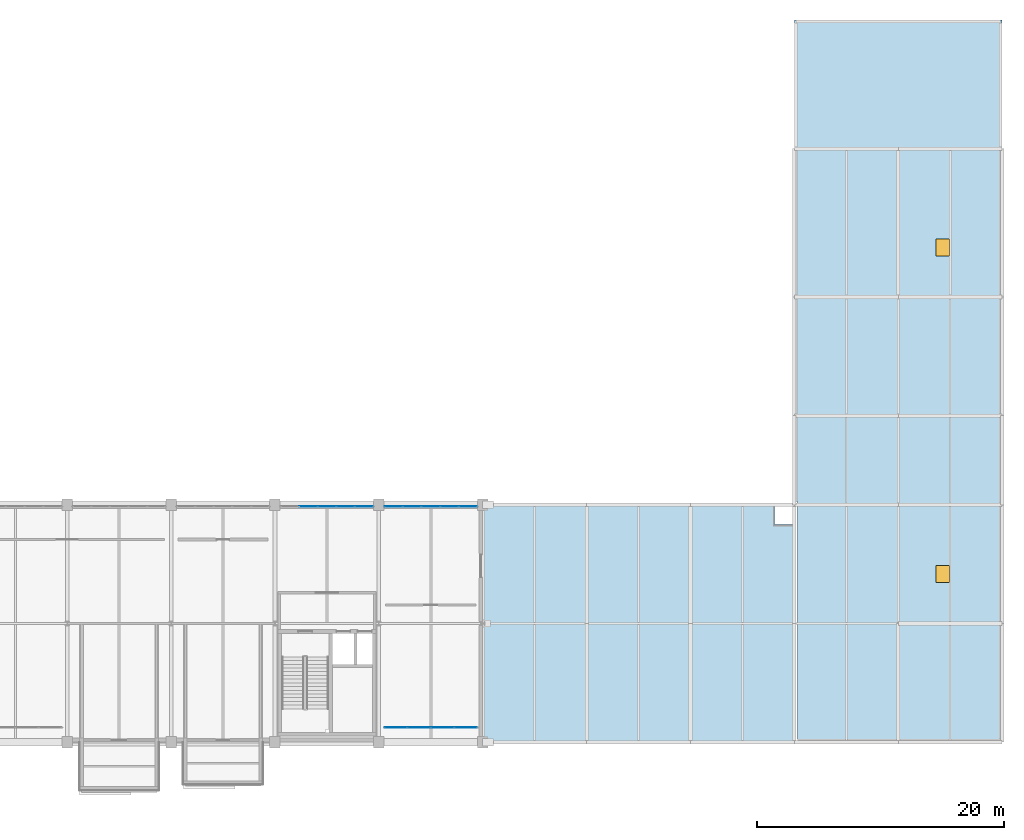
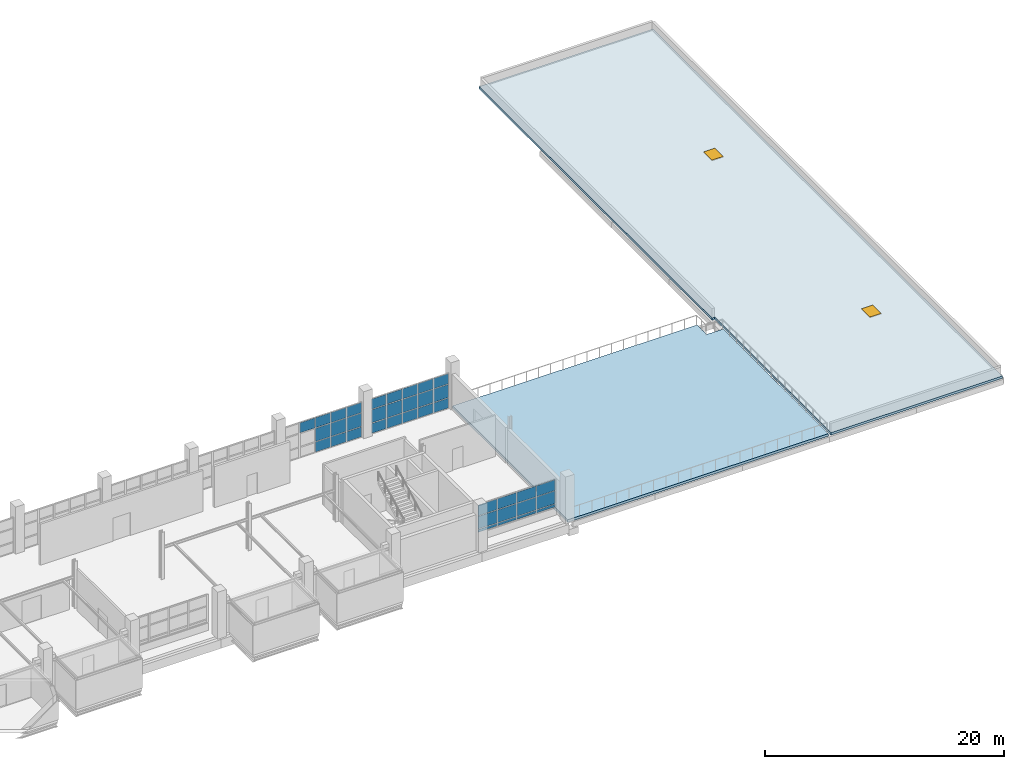
# One storey, part 23 of 29: 37 plates, 2 doors, 2 slabs, 2 openings, 3 elements without a shape of their own.
"""IFC4 building model written with IfcOpenShell, lengths in metres."""

from ifc_helpers import new_model, si_unit, direction, frame, origin, origin_2d, place, context, subcontext, project, spatial, polyline, rectangle, outline, extrude, material, layer, layer_set, type_object, element, fill, aggregate, save


model = new_model("IFC4")

# Units and contexts
model_context = context("Model", 3, precision=1e-05, world=origin(), true_north=direction((0.0, 1.0)))
body_context = subcontext(model_context, "Body", "Model", "MODEL_VIEW")
ifc_project = project(units=[si_unit("LENGTHUNIT", "METRE"), si_unit("AREAUNIT", "SQUARE_METRE"), si_unit("VOLUMEUNIT", "CUBIC_METRE"), si_unit("PLANEANGLEUNIT", "RADIAN"), si_unit("MASSUNIT", "GRAM", prefix="KILO")], contexts=[model_context])

# Site, building, storey
site_placement = place(None, origin())
site = spatial("IfcSite", under=ifc_project, at=site_placement, CompositionType="ELEMENT")
building_placement = place(site_placement, origin())
building = spatial("IfcBuilding", under=site, at=building_placement, Name="Veltarok Museum of Natural Sciences", CompositionType="ELEMENT")
storey_placement = place(building_placement, frame((0.0, 0.0, 26.39990234375)))
storey = spatial("IfcBuildingStorey", under=building, at=storey_placement, Name="L05", CompositionType="ELEMENT", Elevation=26.39990234375)

# Slab, openings, doors
ifc_material_1 = material(Name="Concrete C35/45", Category="concrete")
ifc_layer_1 = layer(ifc_material_1, 0.239990234375)
ifc_layer_set_1 = layer_set([ifc_layer_1], Name="Concrete C35/45")
slab_type_1 = type_object("IfcSlabType", Name="Insulated Flat Wing Roof Slab 240", PredefinedType="ROOF", material=ifc_layer_set_1)
slab_1_placement = place(storey_placement, frame((0.0, 0.0, -0.239990234375)))
slab_1 = element("IfcSlab", 1, at=slab_1_placement, inside=storey, type_object=slab_type_1, Name="Flat Wing Roof Slab RF-V5A", PredefinedType="ROOF", context=body_context, shape_type="SweptSolid", body=[
    extrude(outline(polyline([(149.199951171875, 58.39990234375), (149.199951171875, 0.0), (132.64990234375, 0.0), (132.64990234375, 19.449951171875), (132.39990234375, 19.449951171875), (132.39990234375, 58.39990234375), (149.199951171875, 58.39990234375)])), origin(), (0.0, 0.0, 1.0), 0.239990234375),
])
opening_1_placement = place(slab_1_placement, frame((144.39990234375, 13.60009765625, -0.010009765625)))
opening_1 = element("IfcOpeningElement", 2, at=opening_1_placement, cuts=slab_1, Name="Opening HT-05", PredefinedType="OPENING", context=body_context, shape_type="SweptSolid", body=[
    extrude(rectangle(XDim=1.10009765625, YDim=1.39990234375, at=origin_2d()), origin(), (0.0, 0.0, 1.0), 0.320068359375),
])
opening_2_placement = place(slab_1_placement, frame((144.39990234375, 40.0, -0.010009765625)))
opening_2 = element("IfcOpeningElement", 3, at=opening_2_placement, cuts=slab_1, Name="Opening HT-06", PredefinedType="OPENING", context=body_context, shape_type="SweptSolid", body=[
    extrude(rectangle(XDim=1.10009765625, YDim=1.39990234375, at=origin_2d()), origin(), (0.0, 0.0, 1.0), 0.320068359375),
])
ifc_material_2 = material(Name="Insulated aluminium curb hatch", Category="aluminium")
door_type = type_object("IfcDoorType", Name="Insulated Roof Maintenance Access Hatch 1100x1400", OperationType="SINGLE_SWING_LEFT", PredefinedType="TRAPDOOR", material=ifc_material_2)
door_1_placement = place(slab_1_placement, frame((144.39990234375, 13.60009765625, 0.239990234375)))
door_1 = element("IfcDoor", 4, at=door_1_placement, inside=storey, type_object=door_type, Name="Roof Maintenance Access Hatch HT-05", OperationType="SINGLE_SWING_LEFT", OverallHeight=1.39990234375, OverallWidth=1.10009765625, PredefinedType="TRAPDOOR", context=body_context, shape_type="SweptSolid", body=[
    extrude(rectangle(XDim=1.10009765625, YDim=1.39990234375, at=origin_2d()), origin(), (0.0, 0.0, 1.0), 0.06005859375),
])
fill(opening_1, door_1)
door_2_placement = place(slab_1_placement, frame((144.39990234375, 40.0, 0.239990234375)))
door_2 = element("IfcDoor", 5, at=door_2_placement, inside=storey, type_object=door_type, Name="Roof Maintenance Access Hatch HT-06", OperationType="SINGLE_SWING_LEFT", OverallHeight=1.39990234375, OverallWidth=1.10009765625, PredefinedType="TRAPDOOR", context=body_context, shape_type="SweptSolid", body=[
    extrude(rectangle(XDim=1.10009765625, YDim=1.39990234375, at=origin_2d()), origin(), (0.0, 0.0, 1.0), 0.06005859375),
])
fill(opening_2, door_2)

# Slab
ifc_layer_2 = layer(ifc_material_1, 0.260009765625)
ifc_layer_set_2 = layer_set([ifc_layer_2], Name="Concrete C35/45")
slab_type_2 = type_object("IfcSlabType", Name="Insulated Walkable Terrace Deck Slab 260", PredefinedType="FLOOR", material=ifc_layer_set_2)
slab_2_placement = place(storey_placement, frame((0.0, 0.0, -0.260009765625)))
element("IfcSlab", 6, at=slab_2_placement, inside=storey, type_object=slab_type_2, Name="Upper Stepped Sculpture Terrace", PredefinedType="FLOOR", context=body_context, shape_type="SweptSolid", body=[
    extrude(outline(polyline([(107.22509765625, 0.0), (132.39990234375, 0.0), (132.39990234375, 17.60009765625), (130.800048828125, 17.60009765625), (130.800048828125, 19.199951171875), (107.22509765625, 19.199951171875), (107.22509765625, 0.0)])), origin(), (0.0, 0.0, 1.0), 0.260009765625),
])

# Curtain wall, plates
ifc_material_3 = material(Name="Low-iron triple insulated glass", Category="glass")
curtain_wall_type_1 = type_object("IfcCurtainWallType", Name="Curtain Wall System CW-CAB-L05-A-755x288 (V1 Recessed L05 755x288cm)", PredefinedType="NOTDEFINED", material=ifc_material_3)
curtain_wall_1_placement = place(storey_placement, origin())
curtain_wall_1 = element("IfcCurtainWall", 7, at=curtain_wall_1_placement, inside=storey, type_object=curtain_wall_type_1, Name="Curtain Wall CW-CAB-L05-A-755x288 CW-0010", PredefinedType="NOTDEFINED")
ifc_layer_3 = layer(ifc_material_3, 0.028076171875)
ifc_layer_set_3 = layer_set([ifc_layer_3], Name="Low-iron triple insulated glass")
plate_type = type_object("IfcPlateType", Name="Triple Low-Iron Glazed Vision Panel 28", PredefinedType="CURTAIN_PANEL", material=ifc_layer_set_3)
plate_1_placement = place(storey_placement, frame((100.183837890625, 1.199951171875, 0.800048828125), z_axis=(0.0, 0.0, 1.0), x_axis=(1.0, 0.0, 0.0)))
plate_1 = element("IfcPlate", 8, at=plate_1_placement, type_object=plate_type, Name="CW-CAB-L05-A-755x288 panel 1.1", PredefinedType="CURTAIN_PANEL", context=body_context, shape_type="SweptSolid", body=[
    extrude(rectangle(XDim=1.797607421875, YDim=0.028076171875, at=origin_2d()), origin(), (0.0, 0.0, 1.0), 0.27001953125),
])
plate_2_placement = place(storey_placement, frame((100.183837890625, 1.199951171875, 1.130126953125), z_axis=(0.0, 0.0, 1.0), x_axis=(1.0, 0.0, 0.0)))
plate_2 = element("IfcPlate", 9, at=plate_2_placement, type_object=plate_type, Name="CW-CAB-L05-A-755x288 panel 1.2", PredefinedType="CURTAIN_PANEL", context=body_context, shape_type="SweptSolid", body=[
    extrude(rectangle(XDim=1.797607421875, YDim=0.028076171875, at=origin_2d()), origin(), (0.0, 0.0, 1.0), 1.2900390625),
])
plate_3_placement = place(storey_placement, frame((100.183837890625, 1.199951171875, 2.480224609375), z_axis=(0.0, 0.0, 1.0), x_axis=(1.0, 0.0, 0.0)))
plate_3 = element("IfcPlate", 10, at=plate_3_placement, type_object=plate_type, Name="CW-CAB-L05-A-755x288 panel 1.3", PredefinedType="CURTAIN_PANEL", context=body_context, shape_type="SweptSolid", body=[
    extrude(rectangle(XDim=1.797607421875, YDim=0.028076171875, at=origin_2d()), origin(), (0.0, 0.0, 1.0), 1.0849609375),
])
plate_4_placement = place(storey_placement, frame((102.05615234375, 1.199951171875, 0.800048828125), z_axis=(0.0, 0.0, 1.0), x_axis=(1.0, 0.0, 0.0)))
plate_4 = element("IfcPlate", 11, at=plate_4_placement, type_object=plate_type, Name="CW-CAB-L05-A-755x288 panel 2.1", PredefinedType="CURTAIN_PANEL", context=body_context, shape_type="SweptSolid", body=[
    extrude(rectangle(XDim=1.827392578125, YDim=0.028076171875, at=origin_2d()), origin(), (0.0, 0.0, 1.0), 0.27001953125),
])
plate_5_placement = place(storey_placement, frame((102.05615234375, 1.199951171875, 1.130126953125), z_axis=(0.0, 0.0, 1.0), x_axis=(1.0, 0.0, 0.0)))
plate_5 = element("IfcPlate", 12, at=plate_5_placement, type_object=plate_type, Name="CW-CAB-L05-A-755x288 panel 2.2", PredefinedType="CURTAIN_PANEL", context=body_context, shape_type="SweptSolid", body=[
    extrude(rectangle(XDim=1.827392578125, YDim=0.028076171875, at=origin_2d()), origin(), (0.0, 0.0, 1.0), 1.2900390625),
])
plate_6_placement = place(storey_placement, frame((102.05615234375, 1.199951171875, 2.480224609375), z_axis=(0.0, 0.0, 1.0), x_axis=(1.0, 0.0, 0.0)))
plate_6 = element("IfcPlate", 13, at=plate_6_placement, type_object=plate_type, Name="CW-CAB-L05-A-755x288 panel 2.3", PredefinedType="CURTAIN_PANEL", context=body_context, shape_type="SweptSolid", body=[
    extrude(rectangle(XDim=1.827392578125, YDim=0.028076171875, at=origin_2d()), origin(), (0.0, 0.0, 1.0), 1.0849609375),
])
plate_7_placement = place(storey_placement, frame((103.94384765625, 1.199951171875, 0.800048828125), z_axis=(0.0, 0.0, 1.0), x_axis=(1.0, 0.0, 0.0)))
plate_7 = element("IfcPlate", 14, at=plate_7_placement, type_object=plate_type, Name="CW-CAB-L05-A-755x288 panel 3.1", PredefinedType="CURTAIN_PANEL", context=body_context, shape_type="SweptSolid", body=[
    extrude(rectangle(XDim=1.827392578125, YDim=0.028076171875, at=origin_2d()), origin(), (0.0, 0.0, 1.0), 0.27001953125),
])
plate_8_placement = place(storey_placement, frame((103.94384765625, 1.199951171875, 1.130126953125), z_axis=(0.0, 0.0, 1.0), x_axis=(1.0, 0.0, 0.0)))
plate_8 = element("IfcPlate", 15, at=plate_8_placement, type_object=plate_type, Name="CW-CAB-L05-A-755x288 panel 3.2", PredefinedType="CURTAIN_PANEL", context=body_context, shape_type="SweptSolid", body=[
    extrude(rectangle(XDim=1.827392578125, YDim=0.028076171875, at=origin_2d()), origin(), (0.0, 0.0, 1.0), 1.2900390625),
])
plate_9_placement = place(storey_placement, frame((103.94384765625, 1.199951171875, 2.480224609375), z_axis=(0.0, 0.0, 1.0), x_axis=(1.0, 0.0, 0.0)))
plate_9 = element("IfcPlate", 16, at=plate_9_placement, type_object=plate_type, Name="CW-CAB-L05-A-755x288 panel 3.3", PredefinedType="CURTAIN_PANEL", context=body_context, shape_type="SweptSolid", body=[
    extrude(rectangle(XDim=1.827392578125, YDim=0.028076171875, at=origin_2d()), origin(), (0.0, 0.0, 1.0), 1.0849609375),
])
plate_10_placement = place(storey_placement, frame((105.816162109375, 1.199951171875, 0.800048828125), z_axis=(0.0, 0.0, 1.0), x_axis=(1.0, 0.0, 0.0)))
plate_10 = element("IfcPlate", 17, at=plate_10_placement, type_object=plate_type, Name="CW-CAB-L05-A-755x288 panel 4.1", PredefinedType="CURTAIN_PANEL", context=body_context, shape_type="SweptSolid", body=[
    extrude(rectangle(XDim=1.797607421875, YDim=0.028076171875, at=origin_2d()), origin(), (0.0, 0.0, 1.0), 0.27001953125),
])
plate_11_placement = place(storey_placement, frame((105.816162109375, 1.199951171875, 1.130126953125), z_axis=(0.0, 0.0, 1.0), x_axis=(1.0, 0.0, 0.0)))
plate_11 = element("IfcPlate", 18, at=plate_11_placement, type_object=plate_type, Name="CW-CAB-L05-A-755x288 panel 4.2", PredefinedType="CURTAIN_PANEL", context=body_context, shape_type="SweptSolid", body=[
    extrude(rectangle(XDim=1.797607421875, YDim=0.028076171875, at=origin_2d()), origin(), (0.0, 0.0, 1.0), 1.2900390625),
])
plate_12_placement = place(storey_placement, frame((105.816162109375, 1.199951171875, 2.480224609375), z_axis=(0.0, 0.0, 1.0), x_axis=(1.0, 0.0, 0.0)))
plate_12 = element("IfcPlate", 19, at=plate_12_placement, type_object=plate_type, Name="CW-CAB-L05-A-755x288 panel 4.3", PredefinedType="CURTAIN_PANEL", context=body_context, shape_type="SweptSolid", body=[
    extrude(rectangle(XDim=1.797607421875, YDim=0.028076171875, at=origin_2d()), origin(), (0.0, 0.0, 1.0), 1.0849609375),
])
aggregate(curtain_wall_1, [plate_1, plate_2, plate_3, plate_4, plate_5, plate_6, plate_7, plate_8, plate_9, plate_10, plate_11, plate_12])

curtain_wall_type_2 = type_object("IfcCurtainWallType", Name="Curtain Wall System CW-V1N-L05-755x362 (V1 North Overlook L05 755x362cm)", PredefinedType="NOTDEFINED", material=ifc_material_3)
curtain_wall_2_placement = place(storey_placement, origin())
curtain_wall_2 = element("IfcCurtainWall", 20, at=curtain_wall_2_placement, inside=storey, type_object=curtain_wall_type_2, Name="Curtain Wall CW-V1N-L05-755x362 CW-0018", PredefinedType="NOTDEFINED")
plate_13_placement = place(storey_placement, frame((97.60498046875, 19.050048828125, 0.06005859375), z_axis=(0.0, 0.0, 1.0), x_axis=(-1.0, 0.0, 0.0)))
plate_13 = element("IfcPlate", 21, at=plate_13_placement, type_object=plate_type, Name="CW-V1N-L05-755x362 panel 1.1", PredefinedType="CURTAIN_PANEL", context=body_context, shape_type="SweptSolid", body=[
    extrude(rectangle(XDim=1.419921875, YDim=0.028076171875, at=origin_2d()), origin(), (0.0, 0.0, 1.0), 1.010009765625),
])
plate_14_placement = place(storey_placement, frame((97.60498046875, 19.050048828125, 1.1298828125), z_axis=(0.0, 0.0, 1.0), x_axis=(-1.0, 0.0, 0.0)))
plate_14 = element("IfcPlate", 22, at=plate_14_placement, type_object=plate_type, Name="CW-V1N-L05-755x362 panel 1.2", PredefinedType="CURTAIN_PANEL", context=body_context, shape_type="SweptSolid", body=[
    extrude(rectangle(XDim=1.419921875, YDim=0.028076171875, at=origin_2d()), origin(), (0.0, 0.0, 1.0), 1.340087890625),
])
plate_15_placement = place(storey_placement, frame((97.60498046875, 19.050048828125, 2.5302734375), z_axis=(0.0, 0.0, 1.0), x_axis=(-1.0, 0.0, 0.0)))
plate_15 = element("IfcPlate", 23, at=plate_15_placement, type_object=plate_type, Name="CW-V1N-L05-755x362 panel 1.3", PredefinedType="CURTAIN_PANEL", context=body_context, shape_type="SweptSolid", body=[
    extrude(rectangle(XDim=1.419921875, YDim=0.028076171875, at=origin_2d()), origin(), (0.0, 0.0, 1.0), 1.030029296875),
])
plate_16_placement = place(storey_placement, frame((96.110107421875, 19.050048828125, 0.06005859375), z_axis=(0.0, 0.0, 1.0), x_axis=(-1.0, 0.0, 0.0)))
plate_16 = element("IfcPlate", 24, at=plate_16_placement, type_object=plate_type, Name="CW-V1N-L05-755x362 panel 2.1", PredefinedType="CURTAIN_PANEL", context=body_context, shape_type="SweptSolid", body=[
    extrude(rectangle(XDim=1.449951171875, YDim=0.028076171875, at=origin_2d()), origin(), (0.0, 0.0, 1.0), 1.010009765625),
])
plate_17_placement = place(storey_placement, frame((96.110107421875, 19.050048828125, 1.1298828125), z_axis=(0.0, 0.0, 1.0), x_axis=(-1.0, 0.0, 0.0)))
plate_17 = element("IfcPlate", 25, at=plate_17_placement, type_object=plate_type, Name="CW-V1N-L05-755x362 panel 2.2", PredefinedType="CURTAIN_PANEL", context=body_context, shape_type="SweptSolid", body=[
    extrude(rectangle(XDim=1.449951171875, YDim=0.028076171875, at=origin_2d()), origin(), (0.0, 0.0, 1.0), 1.340087890625),
])
plate_18_placement = place(storey_placement, frame((96.110107421875, 19.050048828125, 2.5302734375), z_axis=(0.0, 0.0, 1.0), x_axis=(-1.0, 0.0, 0.0)))
plate_18 = element("IfcPlate", 26, at=plate_18_placement, type_object=plate_type, Name="CW-V1N-L05-755x362 panel 2.3", PredefinedType="CURTAIN_PANEL", context=body_context, shape_type="SweptSolid", body=[
    extrude(rectangle(XDim=1.449951171875, YDim=0.028076171875, at=origin_2d()), origin(), (0.0, 0.0, 1.0), 1.030029296875),
])
plate_19_placement = place(storey_placement, frame((94.60009765625, 19.050048828125, 0.06005859375), z_axis=(0.0, 0.0, 1.0), x_axis=(-1.0, 0.0, 0.0)))
plate_19 = element("IfcPlate", 27, at=plate_19_placement, type_object=plate_type, Name="CW-V1N-L05-755x362 panel 3.1", PredefinedType="CURTAIN_PANEL", context=body_context, shape_type="SweptSolid", body=[
    extrude(rectangle(XDim=1.449951171875, YDim=0.028076171875, at=origin_2d()), origin(), (0.0, 0.0, 1.0), 1.010009765625),
])
plate_20_placement = place(storey_placement, frame((94.60009765625, 19.050048828125, 1.1298828125), z_axis=(0.0, 0.0, 1.0), x_axis=(-1.0, 0.0, 0.0)))
plate_20 = element("IfcPlate", 28, at=plate_20_placement, type_object=plate_type, Name="CW-V1N-L05-755x362 panel 3.2", PredefinedType="CURTAIN_PANEL", context=body_context, shape_type="SweptSolid", body=[
    extrude(rectangle(XDim=1.449951171875, YDim=0.028076171875, at=origin_2d()), origin(), (0.0, 0.0, 1.0), 1.340087890625),
])
plate_21_placement = place(storey_placement, frame((94.60009765625, 19.050048828125, 2.5302734375), z_axis=(0.0, 0.0, 1.0), x_axis=(-1.0, 0.0, 0.0)))
plate_21 = element("IfcPlate", 29, at=plate_21_placement, type_object=plate_type, Name="CW-V1N-L05-755x362 panel 3.3", PredefinedType="CURTAIN_PANEL", context=body_context, shape_type="SweptSolid", body=[
    extrude(rectangle(XDim=1.449951171875, YDim=0.028076171875, at=origin_2d()), origin(), (0.0, 0.0, 1.0), 1.030029296875),
])
plate_22_placement = place(storey_placement, frame((93.090087890625, 19.050048828125, 2.5302734375), z_axis=(0.0, 0.0, 1.0), x_axis=(-1.0, 0.0, 0.0)))
plate_22 = element("IfcPlate", 30, at=plate_22_placement, type_object=plate_type, Name="CW-V1N-L05-755x362 panel 4.3", PredefinedType="CURTAIN_PANEL", context=body_context, shape_type="SweptSolid", body=[
    extrude(rectangle(XDim=1.449951171875, YDim=0.028076171875, at=origin_2d()), origin(), (0.0, 0.0, 1.0), 1.030029296875),
])
aggregate(curtain_wall_2, [plate_13, plate_14, plate_15, plate_16, plate_17, plate_18, plate_19, plate_20, plate_21, plate_22])

curtain_wall_3_placement = place(storey_placement, origin())
curtain_wall_3 = element("IfcCurtainWall", 31, at=curtain_wall_3_placement, inside=storey, type_object=curtain_wall_type_2, Name="Curtain Wall CW-V1N-L05-755x362 CW-0019", PredefinedType="NOTDEFINED")
plate_23_placement = place(storey_placement, frame((106.0048828125, 19.050048828125, 0.06005859375), z_axis=(0.0, 0.0, 1.0), x_axis=(-1.0, 0.0, 0.0)))
plate_23 = element("IfcPlate", 32, at=plate_23_placement, type_object=plate_type, Name="CW-V1N-L05-755x362 panel 1.1", PredefinedType="CURTAIN_PANEL", context=body_context, shape_type="SweptSolid", body=[
    extrude(rectangle(XDim=1.419921875, YDim=0.028076171875, at=origin_2d()), origin(), (0.0, 0.0, 1.0), 1.010009765625),
])
plate_24_placement = place(storey_placement, frame((106.0048828125, 19.050048828125, 1.1298828125), z_axis=(0.0, 0.0, 1.0), x_axis=(-1.0, 0.0, 0.0)))
plate_24 = element("IfcPlate", 33, at=plate_24_placement, type_object=plate_type, Name="CW-V1N-L05-755x362 panel 1.2", PredefinedType="CURTAIN_PANEL", context=body_context, shape_type="SweptSolid", body=[
    extrude(rectangle(XDim=1.419921875, YDim=0.028076171875, at=origin_2d()), origin(), (0.0, 0.0, 1.0), 1.340087890625),
])
plate_25_placement = place(storey_placement, frame((106.0048828125, 19.050048828125, 2.5302734375), z_axis=(0.0, 0.0, 1.0), x_axis=(-1.0, 0.0, 0.0)))
plate_25 = element("IfcPlate", 34, at=plate_25_placement, type_object=plate_type, Name="CW-V1N-L05-755x362 panel 1.3", PredefinedType="CURTAIN_PANEL", context=body_context, shape_type="SweptSolid", body=[
    extrude(rectangle(XDim=1.419921875, YDim=0.028076171875, at=origin_2d()), origin(), (0.0, 0.0, 1.0), 1.030029296875),
])
plate_26_placement = place(storey_placement, frame((104.510009765625, 19.050048828125, 0.06005859375), z_axis=(0.0, 0.0, 1.0), x_axis=(-1.0, 0.0, 0.0)))
plate_26 = element("IfcPlate", 35, at=plate_26_placement, type_object=plate_type, Name="CW-V1N-L05-755x362 panel 2.1", PredefinedType="CURTAIN_PANEL", context=body_context, shape_type="SweptSolid", body=[
    extrude(rectangle(XDim=1.449951171875, YDim=0.028076171875, at=origin_2d()), origin(), (0.0, 0.0, 1.0), 1.010009765625),
])
plate_27_placement = place(storey_placement, frame((104.510009765625, 19.050048828125, 1.1298828125), z_axis=(0.0, 0.0, 1.0), x_axis=(-1.0, 0.0, 0.0)))
plate_27 = element("IfcPlate", 36, at=plate_27_placement, type_object=plate_type, Name="CW-V1N-L05-755x362 panel 2.2", PredefinedType="CURTAIN_PANEL", context=body_context, shape_type="SweptSolid", body=[
    extrude(rectangle(XDim=1.449951171875, YDim=0.028076171875, at=origin_2d()), origin(), (0.0, 0.0, 1.0), 1.340087890625),
])
plate_28_placement = place(storey_placement, frame((104.510009765625, 19.050048828125, 2.5302734375), z_axis=(0.0, 0.0, 1.0), x_axis=(-1.0, 0.0, 0.0)))
plate_28 = element("IfcPlate", 37, at=plate_28_placement, type_object=plate_type, Name="CW-V1N-L05-755x362 panel 2.3", PredefinedType="CURTAIN_PANEL", context=body_context, shape_type="SweptSolid", body=[
    extrude(rectangle(XDim=1.449951171875, YDim=0.028076171875, at=origin_2d()), origin(), (0.0, 0.0, 1.0), 1.030029296875),
])
plate_29_placement = place(storey_placement, frame((103.0, 19.050048828125, 0.06005859375), z_axis=(0.0, 0.0, 1.0), x_axis=(-1.0, 0.0, 0.0)))
plate_29 = element("IfcPlate", 38, at=plate_29_placement, type_object=plate_type, Name="CW-V1N-L05-755x362 panel 3.1", PredefinedType="CURTAIN_PANEL", context=body_context, shape_type="SweptSolid", body=[
    extrude(rectangle(XDim=1.449951171875, YDim=0.028076171875, at=origin_2d()), origin(), (0.0, 0.0, 1.0), 1.010009765625),
])
plate_30_placement = place(storey_placement, frame((103.0, 19.050048828125, 1.1298828125), z_axis=(0.0, 0.0, 1.0), x_axis=(-1.0, 0.0, 0.0)))
plate_30 = element("IfcPlate", 39, at=plate_30_placement, type_object=plate_type, Name="CW-V1N-L05-755x362 panel 3.2", PredefinedType="CURTAIN_PANEL", context=body_context, shape_type="SweptSolid", body=[
    extrude(rectangle(XDim=1.449951171875, YDim=0.028076171875, at=origin_2d()), origin(), (0.0, 0.0, 1.0), 1.340087890625),
])
plate_31_placement = place(storey_placement, frame((103.0, 19.050048828125, 2.5302734375), z_axis=(0.0, 0.0, 1.0), x_axis=(-1.0, 0.0, 0.0)))
plate_31 = element("IfcPlate", 40, at=plate_31_placement, type_object=plate_type, Name="CW-V1N-L05-755x362 panel 3.3", PredefinedType="CURTAIN_PANEL", context=body_context, shape_type="SweptSolid", body=[
    extrude(rectangle(XDim=1.449951171875, YDim=0.028076171875, at=origin_2d()), origin(), (0.0, 0.0, 1.0), 1.030029296875),
])
plate_32_placement = place(storey_placement, frame((101.489990234375, 19.050048828125, 0.06005859375), z_axis=(0.0, 0.0, 1.0), x_axis=(-1.0, 0.0, 0.0)))
plate_32 = element("IfcPlate", 41, at=plate_32_placement, type_object=plate_type, Name="CW-V1N-L05-755x362 panel 4.1", PredefinedType="CURTAIN_PANEL", context=body_context, shape_type="SweptSolid", body=[
    extrude(rectangle(XDim=1.449951171875, YDim=0.028076171875, at=origin_2d()), origin(), (0.0, 0.0, 1.0), 1.010009765625),
])
plate_33_placement = place(storey_placement, frame((101.489990234375, 19.050048828125, 1.1298828125), z_axis=(0.0, 0.0, 1.0), x_axis=(-1.0, 0.0, 0.0)))
plate_33 = element("IfcPlate", 42, at=plate_33_placement, type_object=plate_type, Name="CW-V1N-L05-755x362 panel 4.2", PredefinedType="CURTAIN_PANEL", context=body_context, shape_type="SweptSolid", body=[
    extrude(rectangle(XDim=1.449951171875, YDim=0.028076171875, at=origin_2d()), origin(), (0.0, 0.0, 1.0), 1.340087890625),
])
plate_34_placement = place(storey_placement, frame((101.489990234375, 19.050048828125, 2.5302734375), z_axis=(0.0, 0.0, 1.0), x_axis=(-1.0, 0.0, 0.0)))
plate_34 = element("IfcPlate", 43, at=plate_34_placement, type_object=plate_type, Name="CW-V1N-L05-755x362 panel 4.3", PredefinedType="CURTAIN_PANEL", context=body_context, shape_type="SweptSolid", body=[
    extrude(rectangle(XDim=1.449951171875, YDim=0.028076171875, at=origin_2d()), origin(), (0.0, 0.0, 1.0), 1.030029296875),
])
plate_35_placement = place(storey_placement, frame((99.9951171875, 19.050048828125, 0.06005859375), z_axis=(0.0, 0.0, 1.0), x_axis=(-1.0, 0.0, 0.0)))
plate_35 = element("IfcPlate", 44, at=plate_35_placement, type_object=plate_type, Name="CW-V1N-L05-755x362 panel 5.1", PredefinedType="CURTAIN_PANEL", context=body_context, shape_type="SweptSolid", body=[
    extrude(rectangle(XDim=1.419921875, YDim=0.028076171875, at=origin_2d()), origin(), (0.0, 0.0, 1.0), 1.010009765625),
])
plate_36_placement = place(storey_placement, frame((99.9951171875, 19.050048828125, 1.1298828125), z_axis=(0.0, 0.0, 1.0), x_axis=(-1.0, 0.0, 0.0)))
plate_36 = element("IfcPlate", 45, at=plate_36_placement, type_object=plate_type, Name="CW-V1N-L05-755x362 panel 5.2", PredefinedType="CURTAIN_PANEL", context=body_context, shape_type="SweptSolid", body=[
    extrude(rectangle(XDim=1.419921875, YDim=0.028076171875, at=origin_2d()), origin(), (0.0, 0.0, 1.0), 1.340087890625),
])
plate_37_placement = place(storey_placement, frame((99.9951171875, 19.050048828125, 2.5302734375), z_axis=(0.0, 0.0, 1.0), x_axis=(-1.0, 0.0, 0.0)))
plate_37 = element("IfcPlate", 46, at=plate_37_placement, type_object=plate_type, Name="CW-V1N-L05-755x362 panel 5.3", PredefinedType="CURTAIN_PANEL", context=body_context, shape_type="SweptSolid", body=[
    extrude(rectangle(XDim=1.419921875, YDim=0.028076171875, at=origin_2d()), origin(), (0.0, 0.0, 1.0), 1.030029296875),
])
aggregate(curtain_wall_3, [plate_23, plate_24, plate_25, plate_26, plate_27, plate_28, plate_29, plate_30, plate_31, plate_32, plate_33, plate_34, plate_35, plate_36, plate_37])

save(model, "model.ifc")
